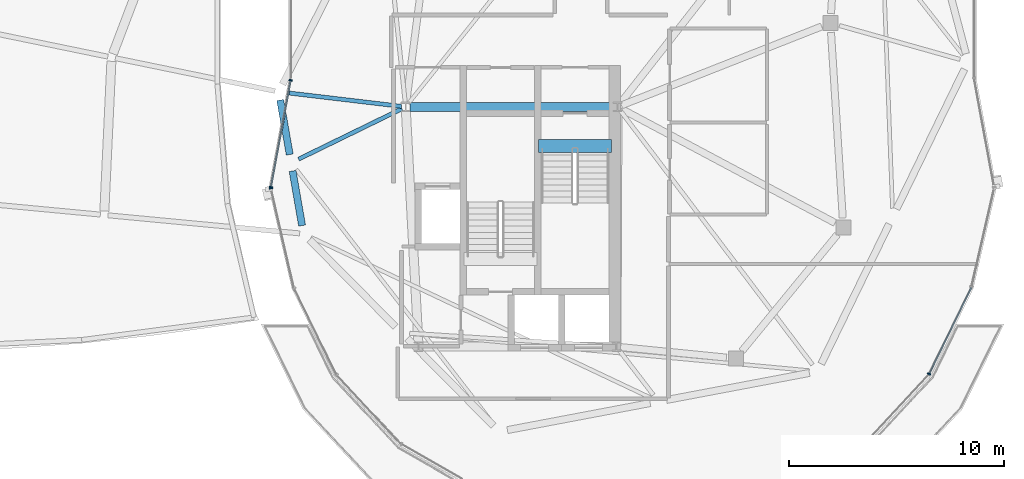
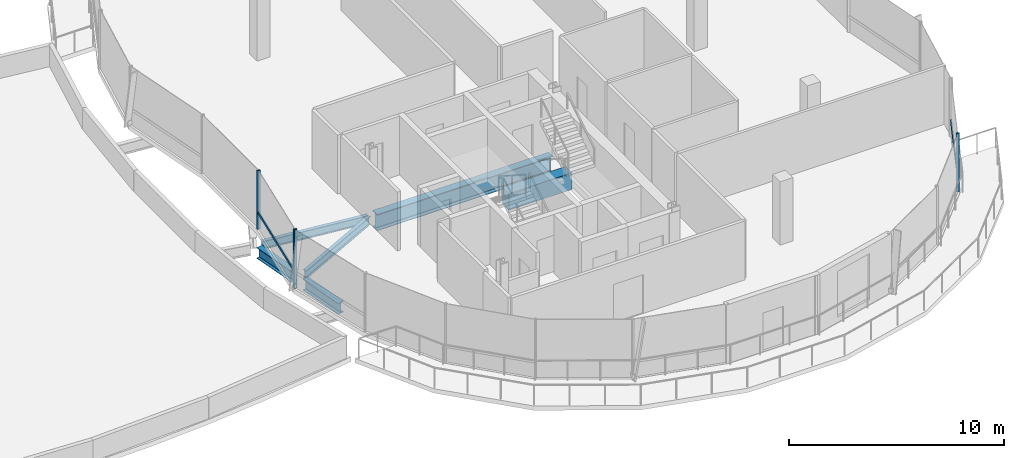
# One storey, part 13 of 31: 6 beams, 6 members, 3 elements without a shape of their own.
"""IFC4 building model written with IfcOpenShell, lengths in metres."""

from ifc_helpers import new_model, si_unit, direction, frame, origin, origin_2d, place, context, subcontext, project, spatial, rectangle, i_section, extrude, material, material_profile, profile_set, type_object, element, aggregate, save


model = new_model("IFC4")

# Units and contexts
model_context = context("Model", 3, precision=1e-05, world=origin(), true_north=direction((0.0, 1.0)))
body_context = subcontext(model_context, "Body", "Model", "MODEL_VIEW")
ifc_project = project(units=[si_unit("LENGTHUNIT", "METRE"), si_unit("AREAUNIT", "SQUARE_METRE"), si_unit("VOLUMEUNIT", "CUBIC_METRE"), si_unit("PLANEANGLEUNIT", "RADIAN"), si_unit("MASSUNIT", "GRAM", prefix="KILO"), si_unit("THERMODYNAMICTEMPERATUREUNIT", "KELVIN"), si_unit("POWERUNIT", "WATT")], contexts=[model_context])

# Site, building, storey
site_placement = place(None, origin())
site = spatial("IfcSite", under=ifc_project, at=site_placement, CompositionType="ELEMENT")
building_placement = place(site_placement, origin())
building = spatial("IfcBuilding", under=site, at=building_placement, Name="Cundina Bronze Exchange", CompositionType="ELEMENT")
storey_placement = place(building_placement, frame((0.0, 0.0, 275.60009765625)))
storey = spatial("IfcBuildingStorey", under=building, at=storey_placement, Name="L73", CompositionType="ELEMENT", Elevation=275.60009765625)

# Beams
ifc_material_1 = material(Name="Concrete C60/75", Category="concrete")
ifc_material_profile_1 = material_profile(ifc_material_1, rectangle(XDim=0.60009765625, YDim=0.949951171875, at=origin_2d()), Name="RC600X950", Category="concrete")
ifc_profile_set_1 = profile_set([ifc_material_profile_1], Name="Concrete C60/75")
beam_type_1 = type_object("IfcBeamType", Name="BM-COUP-RC950", PredefinedType="LINTEL", material=ifc_profile_set_1)
beam_1_placement = place(storey_placement, frame((27.6201171875, -5.719970703125, -0.47509765625), z_axis=(1.0, 0.0, 0.0), x_axis=(0.0, 1.0, 0.0)))
element("IfcBeam", 1, at=beam_1_placement, inside=storey, type_object=beam_type_1, Name="L73 Stair E1 Landing Header Beam", PredefinedType="LINTEL", context=body_context, shape_type="SweptSolid", body=[
    extrude(rectangle(XDim=0.60009765625, YDim=0.949951171875, at=origin_2d()), origin(), (0.0, 0.0, 1.0), 3.39990234375),
])
ifc_material_2 = material(Name="Steel ASTM A992 Grade 50", Category="steel")
ifc_material_profile_2 = material_profile(ifc_material_2, i_section(OverallWidth=0.19091796875, OverallDepth=0.4599609375, WebThickness=0.010009765625, FlangeThickness=0.01611328125, FilletRadius=0.011962890625, at=origin_2d()), Name="W18X55", Category="steel")
ifc_profile_set_2 = profile_set([ifc_material_profile_2], Name="Steel ASTM A992 Grade 50")
beam_type_2 = type_object("IfcBeamType", Name="BM-FLR-W18B", PredefinedType="BEAM", material=ifc_profile_set_2)
beam_2_placement = place(storey_placement, frame((21.25537109375, -3.876953125, -0.489990234375), z_axis=(-0.993031892142, 0.117845921393, 0.0), x_axis=(-0.117845921393, -0.993031892142, 0.0)))
element("IfcBeam", 2, at=beam_2_placement, inside=storey, type_object=beam_type_2, Name="L73 Leg E Chordal Floor Beam 00", PredefinedType="BEAM", context=body_context, shape_type="SweptSolid", body=[
    extrude(i_section(OverallWidth=0.19091796875, OverallDepth=0.4599609375, WebThickness=0.010009765625, FlangeThickness=0.01611328125, FilletRadius=0.011962890625, at=origin_2d()), origin(), (0.0, 0.0, 1.0), 5.357421875),
])
beam_3_placement = place(storey_placement, frame((21.27392578125, -3.986083984375, -0.489990234375), z_axis=(-0.898610260891, -0.438747762412, 0.0), x_axis=(0.438747762412, -0.898610260891, 0.0)))
element("IfcBeam", 3, at=beam_3_placement, inside=storey, type_object=beam_type_2, Name="L73 Leg E Chordal Floor Beam 01", PredefinedType="BEAM", context=body_context, shape_type="SweptSolid", body=[
    extrude(i_section(OverallWidth=0.19091796875, OverallDepth=0.4599609375, WebThickness=0.010009765625, FlangeThickness=0.01611328125, FilletRadius=0.011962890625, at=origin_2d()), origin(), (0.0, 0.0, 1.0), 5.341796875),
])
ifc_material_profile_3 = material_profile(ifc_material_2, i_section(OverallWidth=0.324951171875, OverallDepth=0.615966796875, WebThickness=0.013916015625, FlangeThickness=0.021484375, FilletRadius=0.01611328125, at=origin_2d()), Name="W24X117", Category="steel")
ifc_profile_set_3 = profile_set([ifc_material_profile_3], Name="Steel ASTM A992 Grade 50")
beam_type_3 = type_object("IfcBeamType", Name="BM-RING-W24", PredefinedType="USERDEFINED", material=ifc_profile_set_3)
for number, where, z_axis, x_axis, name in (
    (4, (15.61669921875, -3.582275390625, -0.568115234375), (0.171593362587, -0.985167862811, 0.0), (0.985167862811, 0.171593362587, 0.0), "L73 E Perimeter Ring Girder 00"),
    (5, (16.191650390625, -6.882080078125, -0.568115234375), (0.171593362587, -0.985167862811, 0.0), (0.985167862811, 0.171593362587, 0.0), "L73 E Perimeter Ring Girder 01"),
):
    element("IfcBeam", number, at=place(storey_placement, frame(where, z_axis=z_axis, x_axis=x_axis)), inside=storey, type_object=beam_type_3, Name=name, ObjectType="GIRDER", PredefinedType="USERDEFINED", context=body_context, shape_type="SweptSolid", body=[
        extrude(i_section(OverallWidth=0.324951171875, OverallDepth=0.615966796875, WebThickness=0.013916015625, FlangeThickness=0.021484375, FilletRadius=0.01611328125, at=origin_2d()), origin(), (0.0, 0.0, 1.0), 2.57373046875),
    ])
ifc_material_profile_4 = material_profile(ifc_material_2, i_section(OverallWidth=0.41796875, OverallDepth=0.927001953125, WebThickness=0.019287109375, FlangeThickness=0.031982421875, FilletRadius=0.02392578125, at=origin_2d()), Name="W36X231", Category="steel")
ifc_profile_set_4 = profile_set([ifc_material_profile_4], Name="Steel ASTM A992 Grade 50")
beam_type_4 = type_object("IfcBeamType", Name="BM-WRN-W36B", PredefinedType="USERDEFINED", material=ifc_profile_set_4)
beam_4_placement = place(storey_placement, frame((31.10400390625, -3.89990234375, -0.7236328125), z_axis=(-1.0, 0.0, 0.0), x_axis=(0.0, -1.0, 0.0)))
element("IfcBeam", 6, at=beam_4_placement, inside=storey, type_object=beam_type_4, Name="L73 E Core Perimeter Tie Girder 1", ObjectType="GIRDER", PredefinedType="USERDEFINED", context=body_context, shape_type="SweptSolid", body=[
    extrude(i_section(OverallWidth=0.41796875, OverallDepth=0.927001953125, WebThickness=0.019287109375, FlangeThickness=0.031982421875, FilletRadius=0.02392578125, at=origin_2d()), origin(), (0.0, 0.0, 1.0), 9.4580078125),
])

# Curtain wall, members
ifc_material_3 = material(Name="Anodised Bronze Aluminium 6063-T6", Category="aluminium")
curtain_wall_type = type_object("IfcCurtainWallType", Name="CWS-CRN-TMD", PredefinedType="NOTDEFINED", material=ifc_material_3)
curtain_wall_1_placement = place(storey_placement, origin())
curtain_wall_1 = element("IfcCurtainWall", 7, at=curtain_wall_1_placement, inside=storey, type_object=curtain_wall_type, Name="L73 CW-07 Curtain Wall Run CWR-L73-E2", PredefinedType="NOTDEFINED")
ifc_material_profile_5 = material_profile(ifc_material_3, rectangle(XDim=0.06494140625, YDim=0.159912109375, at=origin_2d()), Name="AL65X160", Category="aluminium")
ifc_profile_set_5 = profile_set([ifc_material_profile_5], Name="Anodised Bronze Aluminium 6063-T6")
member_type_1 = type_object("IfcMemberType", Name="CWM-MUL-160", PredefinedType="MULLION", material=ifc_profile_set_5)
member_1_placement = place(storey_placement, frame((16.10302734375, -2.660888671875, 0.0), z_axis=(0.0, 0.0, 1.0), x_axis=(-0.181549039717, -0.983381892338, 0.0)))
member_1 = element("IfcMember", 8, at=member_1_placement, type_object=member_type_1, Name="CW-07 Mullion 7", PredefinedType="MULLION", context=body_context, shape_type="SweptSolid", body=[
    extrude(rectangle(XDim=0.06494140625, YDim=0.159912109375, at=origin_2d()), origin(), (0.0, 0.0, 1.0), 3.33984375),
])
member_2_placement = place(storey_placement, frame((15.1845703125, -7.635498046875, 0.0), z_axis=(0.0, 0.0, 1.0), x_axis=(-0.181549039717, -0.983381892338, 0.0)))
member_2 = element("IfcMember", 9, at=member_2_placement, type_object=member_type_1, Name="CW-07 End Mullion", PredefinedType="MULLION", context=body_context, shape_type="SweptSolid", body=[
    extrude(rectangle(XDim=0.06494140625, YDim=0.159912109375, at=origin_2d()), origin(), (0.0, 0.0, 1.0), 3.33984375),
])

# Curtain wall, member
curtain_wall_2_placement = place(storey_placement, origin())
curtain_wall_2 = element("IfcCurtainWall", 10, at=curtain_wall_2_placement, inside=storey, type_object=curtain_wall_type, Name="L73 CW-07 Curtain Wall Run CWR-L73-E3", PredefinedType="NOTDEFINED")
member_3_placement = place(storey_placement, frame((15.185791015625, -7.683837890625, 0.0), z_axis=(0.0, 0.0, 1.0), x_axis=(0.223930573241, -0.974605098677, 0.0)))
member_3 = element("IfcMember", 11, at=member_3_placement, type_object=member_type_1, Name="CW-07 Mullion 1", PredefinedType="MULLION", context=body_context, shape_type="SweptSolid", body=[
    extrude(rectangle(XDim=0.06494140625, YDim=0.159912109375, at=origin_2d()), origin(), (0.0, 0.0, 1.0), 3.33984375),
])
aggregate(curtain_wall_2, [member_3])

curtain_wall_3_placement = place(storey_placement, origin())
curtain_wall_3 = element("IfcCurtainWall", 12, at=curtain_wall_3_placement, inside=storey, type_object=curtain_wall_type, Name="L73 CW-07 Curtain Wall Run CWR-L73-E4", PredefinedType="NOTDEFINED")
member_4_placement = place(storey_placement, frame((45.789306640625, -16.3203125, 0.0), z_axis=(0.0, 0.0, 1.0), x_axis=(0.439468903432, 0.898257804261, 0.0)))
member_4 = element("IfcMember", 13, at=member_4_placement, type_object=member_type_1, Name="CW-07 Mullion 3", PredefinedType="MULLION", context=body_context, shape_type="SweptSolid", body=[
    extrude(rectangle(XDim=0.06494140625, YDim=0.159912109375, at=origin_2d()), origin(), (0.0, 0.0, 1.0), 3.33984375),
])

# Member
ifc_material_profile_6 = material_profile(ifc_material_3, rectangle(XDim=0.06494140625, YDim=0.14990234375, at=origin_2d()), Name="AL65X150", Category="aluminium")
ifc_profile_set_6 = profile_set([ifc_material_profile_6], Name="Anodised Bronze Aluminium 6063-T6")
member_type_2 = type_object("IfcMemberType", Name="CWM-TRN-150", PredefinedType="USERDEFINED", material=ifc_profile_set_6)
member_5_placement = place(storey_placement, frame((16.0966796875, -2.696044921875, 0.919921875), z_axis=(-0.181568600353, -0.98337828091, 0.0), x_axis=(0.98337828091, -0.181568600353, 0.0)))
member_5 = element("IfcMember", 14, at=member_5_placement, type_object=member_type_2, Name="CW-07 Spandrel Transom 7", ObjectType="TRANSOM", PredefinedType="USERDEFINED", context=body_context, shape_type="SweptSolid", body=[
    extrude(rectangle(XDim=0.06494140625, YDim=0.14990234375, at=origin_2d()), origin(), (0.0, 0.0, 1.0), 4.9873046875),
])

aggregate(curtain_wall_1, [member_1, member_2, member_5])

member_6_placement = place(storey_placement, frame((45.804931640625, -16.2880859375, 0.919921875), z_axis=(0.439416660299, 0.898283362114, 0.0), x_axis=(-0.898283362114, 0.439416660299, 0.0)))
member_6 = element("IfcMember", 15, at=member_6_placement, type_object=member_type_2, Name="CW-07 Spandrel Transom 3", ObjectType="TRANSOM", PredefinedType="USERDEFINED", context=body_context, shape_type="SweptSolid", body=[
    extrude(rectangle(XDim=0.06494140625, YDim=0.14990234375, at=origin_2d()), origin(), (0.0, 0.0, 1.0), 4.430908203125),
])

aggregate(curtain_wall_3, [member_4, member_6])

save(model, "model.ifc")
